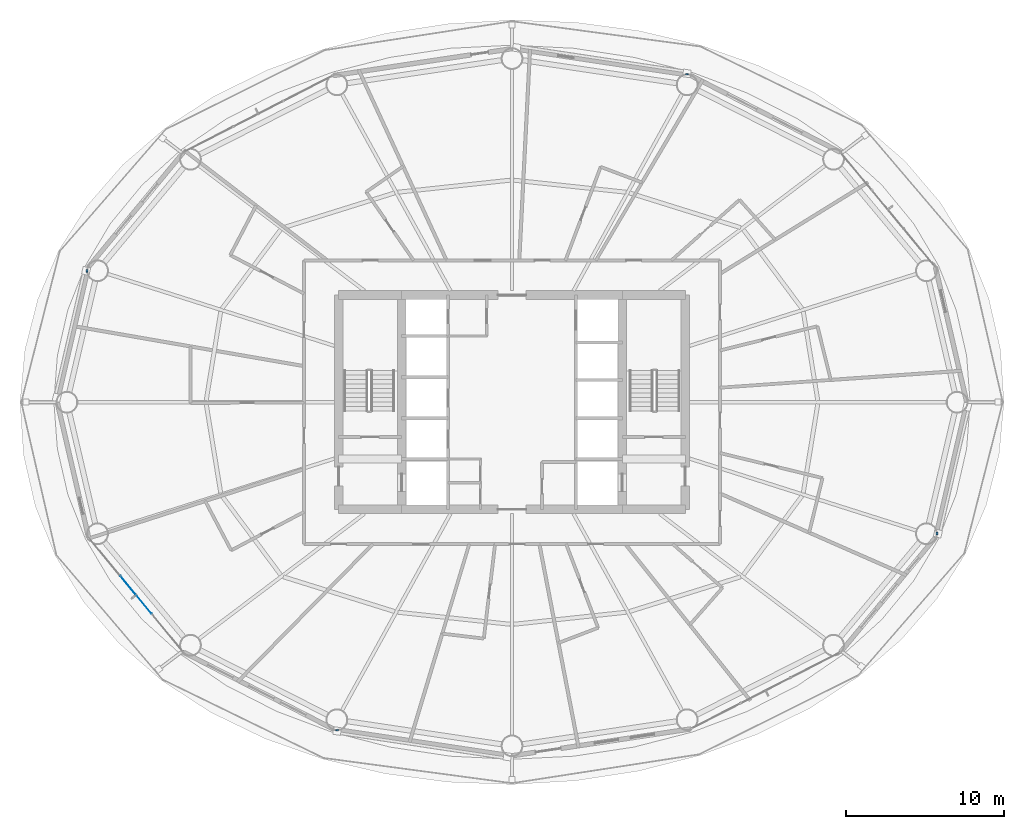
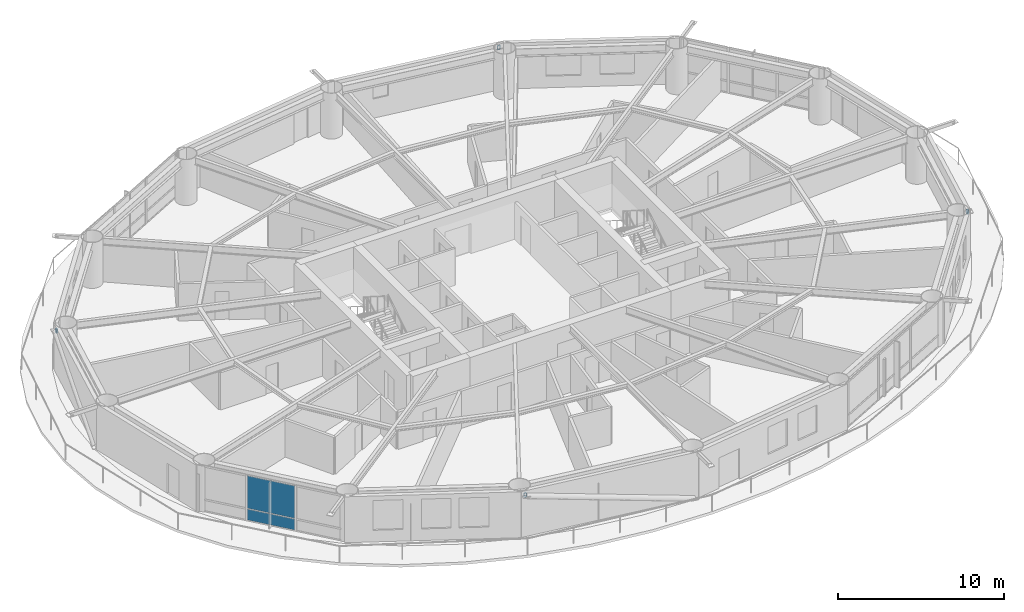
# One storey, part 13 of 24: 4 members, 2 plates, 1 element without a shape of its own.
"""IFC4 building model written with IfcOpenShell, lengths in metres."""

from ifc_helpers import new_model, si_unit, direction, frame, origin, origin_2d, place, context, subcontext, project, spatial, rectangle, hollow_rectangle, extrude, material, layer, layer_set, material_profile, profile_set, type_object, element, aggregate, save


model = new_model("IFC4")

# Units and contexts
model_context = context("Model", 3, precision=1e-05, world=origin(), true_north=direction((0.0, 1.0)))
body_context = subcontext(model_context, "Body", "Model", "MODEL_VIEW")
ifc_project = project(units=[si_unit("LENGTHUNIT", "METRE"), si_unit("AREAUNIT", "SQUARE_METRE"), si_unit("VOLUMEUNIT", "CUBIC_METRE"), si_unit("PLANEANGLEUNIT", "RADIAN"), si_unit("MASSUNIT", "GRAM", prefix="KILO")], contexts=[model_context])

# Site, building, storey
site_placement = place(None, origin())
site = spatial("IfcSite", under=ifc_project, at=site_placement, CompositionType="ELEMENT")
building_placement = place(site_placement, origin())
building = spatial("IfcBuilding", under=site, at=building_placement, Name="Sarneth Arch Tower", CompositionType="ELEMENT")
storey_placement = place(building_placement, frame((0.0, 0.0, 87.60009765625)))
storey = spatial("IfcBuildingStorey", under=building, at=storey_placement, Name="L21", CompositionType="ELEMENT", Elevation=87.60009765625)

# Members
ifc_material_1 = material(Name="Steel S355", Category="steel")
ifc_material_profile = material_profile(ifc_material_1, hollow_rectangle(XDim=0.199951171875, YDim=0.300048828125, WallThickness=0.012451171875, InnerFilletRadius=0.018798828125, OuterFilletRadius=0.03125, at=origin_2d()), Name="RHS300x200x12.5")
ifc_profile_set = profile_set([ifc_material_profile], Name="Steel S355")
member_type = type_object("IfcMemberType", Name="MEM-CANT-STRUT", PredefinedType="STRUT", material=ifc_profile_set)
member_1_placement = place(storey_placement, frame((59.095458984375, 62.747802734375, 3.01318359375), z_axis=(-0.024010543142, 0.999711705352, 0.0), x_axis=(-0.999711705352, -0.024010543142, 0.0)))
element("IfcMember", 1, at=member_1_placement, inside=storey, type_object=member_type, Name="L21 Exoskeleton brace node strut 04B", PredefinedType="STRUT", context=body_context, shape_type="SweptSolid", body=[
    extrude(hollow_rectangle(XDim=0.199951171875, YDim=0.300048828125, WallThickness=0.012451171875, InnerFilletRadius=0.018798828125, OuterFilletRadius=0.03125, at=origin_2d()), origin(), (0.0, 0.0, 1.0), 0.11181640625),
])
member_2_placement = place(storey_placement, frame((21.101318359375, 50.331787109375, 3.01318359375), z_axis=(-0.999834751713, -0.018178813668, 0.0), x_axis=(0.018178813668, -0.999834751713, 0.0)))
element("IfcMember", 2, at=member_2_placement, inside=storey, type_object=member_type, Name="L21 Exoskeleton brace node strut 08B", PredefinedType="STRUT", context=body_context, shape_type="SweptSolid", body=[
    extrude(hollow_rectangle(XDim=0.199951171875, YDim=0.300048828125, WallThickness=0.012451171875, InnerFilletRadius=0.018798828125, OuterFilletRadius=0.03125, at=origin_2d()), origin(), (0.0, 0.0, 1.0), 0.120849609375),
])
member_3_placement = place(storey_placement, frame((36.904541015625, 21.252197265625, 3.01318359375), z_axis=(0.024010543142, -0.999711705352, 0.0), x_axis=(0.999711705352, 0.024010543142, 0.0)))
element("IfcMember", 3, at=member_3_placement, inside=storey, type_object=member_type, Name="L21 Exoskeleton brace node strut 12B", PredefinedType="STRUT", context=body_context, shape_type="SweptSolid", body=[
    extrude(hollow_rectangle(XDim=0.199951171875, YDim=0.300048828125, WallThickness=0.012451171875, InnerFilletRadius=0.018798828125, OuterFilletRadius=0.03125, at=origin_2d()), origin(), (0.0, 0.0, 1.0), 0.11181640625),
])
member_4_placement = place(storey_placement, frame((74.898681640625, 33.668212890625, 3.01318359375), z_axis=(0.999834751713, 0.018178813668, 0.0), x_axis=(-0.018178813668, 0.999834751713, 0.0)))
element("IfcMember", 4, at=member_4_placement, inside=storey, type_object=member_type, Name="L21 Exoskeleton brace node strut 16B", PredefinedType="STRUT", context=body_context, shape_type="SweptSolid", body=[
    extrude(hollow_rectangle(XDim=0.199951171875, YDim=0.300048828125, WallThickness=0.012451171875, InnerFilletRadius=0.018798828125, OuterFilletRadius=0.03125, at=origin_2d()), origin(), (0.0, 0.0, 1.0), 0.120849609375),
])

# Curtain wall, plates
ifc_material_2 = material(Name="Anodised aluminium Type AA25 and solar-control low-e laminated IGU", Category="aluminium")
ifc_layer_1 = layer(ifc_material_2, 0.159912109375)
ifc_layer_set_1 = layer_set([ifc_layer_1], Name="Anodised aluminium Type AA25 and solar-control low-e laminated IGU")
curtain_wall_type = type_object("IfcCurtainWallType", Name="CW-HOTEL-MID", PredefinedType="NOTDEFINED", material=ifc_layer_set_1)
curtain_wall_placement = place(storey_placement, origin())
curtain_wall = element("IfcCurtainWall", 5, at=curtain_wall_placement, inside=storey, type_object=curtain_wall_type, Name="L21 Unitised curtain wall facet 10", PredefinedType="NOTDEFINED")
ifc_material_3 = material(Name="Solar-control low-e laminated IGU", Category="glass")
ifc_layer_2 = layer(ifc_material_3, 0.028076171875)
ifc_layer_set_2 = layer_set([ifc_layer_2], Name="Solar-control low-e laminated IGU")
plate_type = type_object("IfcPlateType", Name="CW-PANEL", PredefinedType="CURTAIN_PANEL", material=ifc_layer_set_2)
plate_1_placement = place(storey_placement, frame((24.1494140625, 29.778076171875, 0.059814453125), z_axis=(0.0, 0.0, 1.0), x_axis=(0.637515188684, -0.770437787363, 0.0)))
plate_1 = element("IfcPlate", 6, at=plate_1_placement, type_object=plate_type, Name="Curtain wall glazed vision pane CW-L21-F10/P01-00", PredefinedType="CURTAIN_PANEL", context=body_context, shape_type="SweptSolid", body=[
    extrude(rectangle(XDim=3.08837890625, YDim=0.028076171875, at=origin_2d()), origin(), (0.0, 0.0, 1.0), 0.81005859375),
])
plate_2_placement = place(storey_placement, frame((24.1494140625, 29.778076171875, 0.93017578125), z_axis=(0.0, 0.0, 1.0), x_axis=(0.637515188684, -0.770437787363, 0.0)))
plate_2 = element("IfcPlate", 7, at=plate_2_placement, type_object=plate_type, Name="Curtain wall glazed vision pane CW-L21-F10/P01-01", PredefinedType="CURTAIN_PANEL", context=body_context, shape_type="SweptSolid", body=[
    extrude(rectangle(XDim=3.08837890625, YDim=0.028076171875, at=origin_2d()), origin(), (0.0, 0.0, 1.0), 2.389892578125),
])
aggregate(curtain_wall, [plate_1, plate_2])

save(model, "model.ifc")
